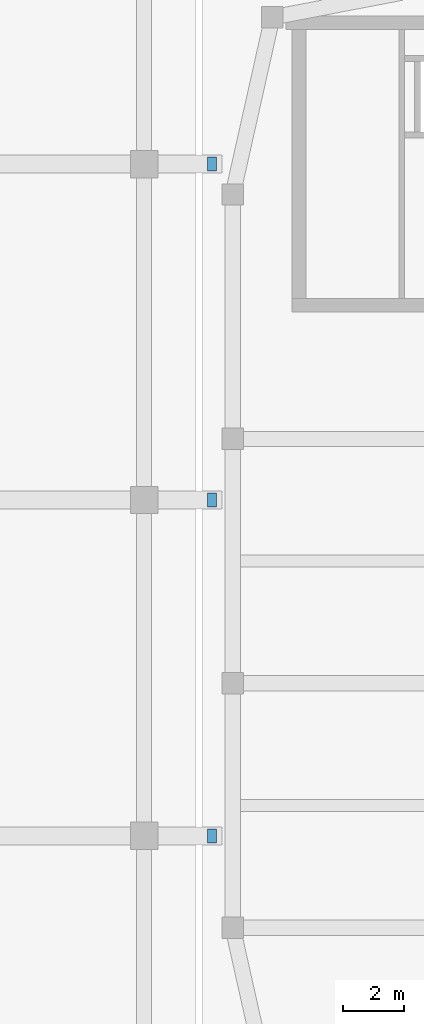
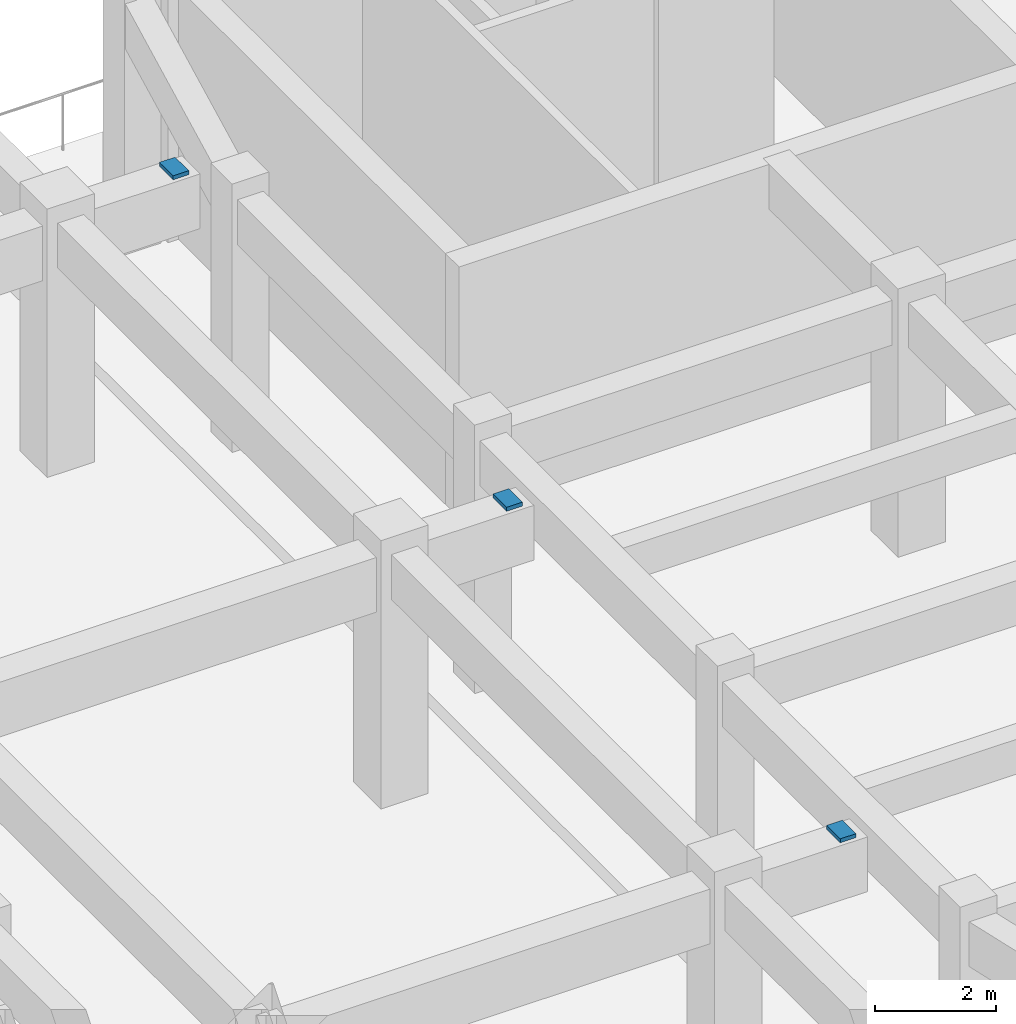
# One storey, part 9 of 14: 3 discrete accessories.
"""IFC4 building model written with IfcOpenShell, lengths in metres."""

from ifc_helpers import new_model, si_unit, direction, frame, origin, origin_2d, place, context, subcontext, project, spatial, rectangle, extrude, material, layer, layer_set, type_object, element, save


model = new_model("IFC4")

# Units and contexts
model_context = context("Model", 3, precision=1e-05, world=origin(), true_north=direction((0.0, 1.0)))
body_context = subcontext(model_context, "Body", "Model", "MODEL_VIEW")
ifc_project = project(units=[si_unit("LENGTHUNIT", "METRE"), si_unit("AREAUNIT", "SQUARE_METRE"), si_unit("VOLUMEUNIT", "CUBIC_METRE"), si_unit("PLANEANGLEUNIT", "RADIAN"), si_unit("MASSUNIT", "GRAM", prefix="KILO")], contexts=[model_context])

# Site, building, storey
site_placement = place(None, origin())
site = spatial("IfcSite", under=ifc_project, at=site_placement, CompositionType="ELEMENT")
building_placement = place(site_placement, origin())
building = spatial("IfcBuilding", under=site, at=building_placement, Name="Saevonmaru Cultural Tower", CompositionType="ELEMENT")
storey_placement = place(building_placement, frame((0.0, 0.0, -5.39990234375)))
storey = spatial("IfcBuildingStorey", under=building, at=storey_placement, Name="B1", CompositionType="ELEMENT", Elevation=-5.39990234375)

# Discrete accessories
ifc_material = material(Name="Steel HSA600 (600 MPa)", Category="steel")
ifc_layer = layer(ifc_material, 0.080078125, Name="Steel HSA600 (600 MPa)")
ifc_layer_set = layer_set([ifc_layer], Name="Steel HSA600 (600 MPa)")
discrete_accessory_type = type_object("IfcDiscreteAccessoryType", Name="ACC-MJ-BEARING", PredefinedType="BRACKET", material=ifc_layer_set)
for number, where, z_axis, x_axis, name in (
    (1, (72.425048828125, 19.0, 4.969970703125), (0.0, 0.0, 1.0), (1.0, 0.0, 0.0), "B1 MJ-01 Multidirectional Sliding Bearing 1"),
    (2, (72.425048828125, 30.0, 4.969970703125), (0.0, 0.0, 1.0), (1.0, 0.0, 0.0), "B1 MJ-01 Multidirectional Sliding Bearing 2"),
    (3, (72.425048828125, 41.0, 4.969970703125), (0.0, 0.0, 1.0), (1.0, 0.0, 0.0), "B1 MJ-01 Multidirectional Sliding Bearing 3"),
):
    element("IfcDiscreteAccessory", number, at=place(storey_placement, frame(where, z_axis=z_axis, x_axis=x_axis)), inside=storey, type_object=discrete_accessory_type, Name=name, PredefinedType="BRACKET", context=body_context, shape_type="SweptSolid", body=[
        extrude(rectangle(XDim=0.300048828125, YDim=0.449951171875, at=origin_2d()), origin(), (0.0, 0.0, 1.0), 0.080078125),
    ])

save(model, "model.ifc")
